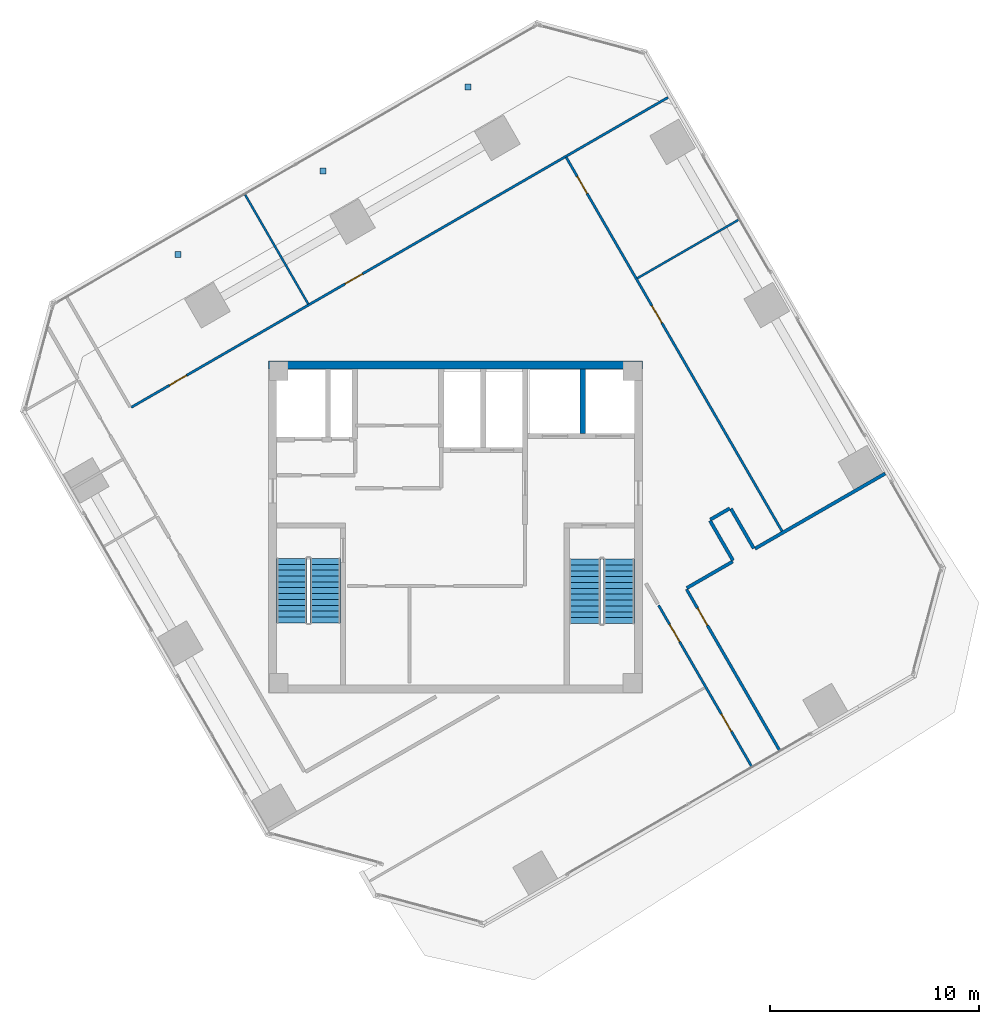
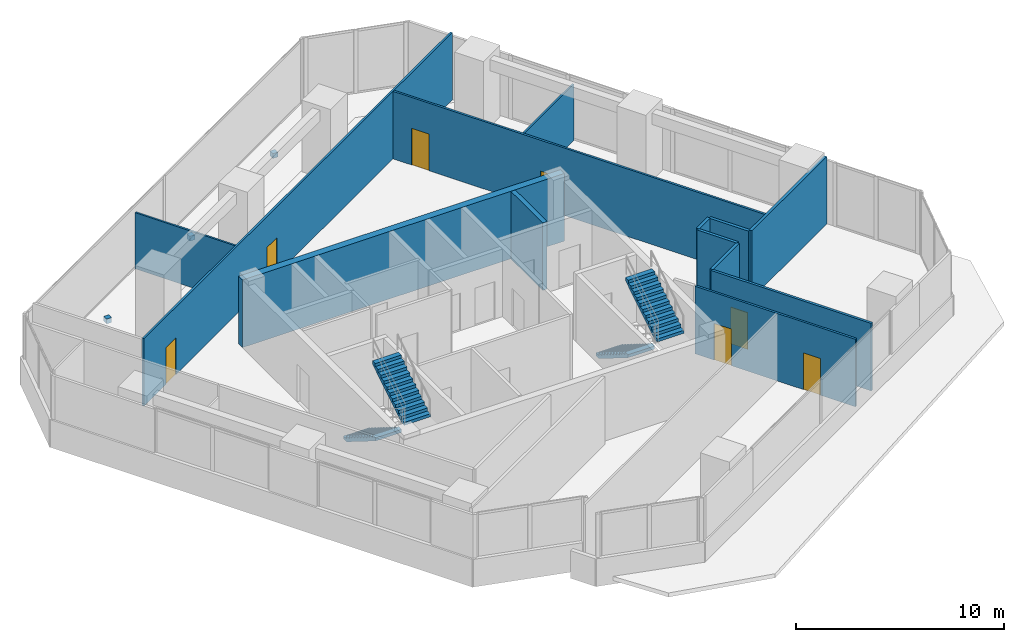
# One storey, part 13 of 16: 13 walls, 7 doors, 4 stair flights, 3 discrete accessories, 7 openings, 2 elements without a shape of their own.
"""IFC4 building model written with IfcOpenShell, lengths in metres."""

from ifc_helpers import new_model, si_unit, direction, frame, frame_2d, origin, origin_2d, place, context, subcontext, project, spatial, polyline, rectangle, outline, extrude, source, transform, mapped, material, layer, layer_set, type_object, element, fill, aggregate, save


model = new_model("IFC4")

# Units and contexts
model_context = context("Model", 3, precision=1e-05, world=origin(), true_north=direction((0.0, 1.0)))
body_context = subcontext(model_context, "Body", "Model", "MODEL_VIEW")
ifc_project = project(units=[si_unit("LENGTHUNIT", "METRE"), si_unit("AREAUNIT", "SQUARE_METRE"), si_unit("VOLUMEUNIT", "CUBIC_METRE"), si_unit("PLANEANGLEUNIT", "RADIAN"), si_unit("MASSUNIT", "GRAM", prefix="KILO")], contexts=[model_context])

# Site, building, storey
site_placement = place(None, origin())
site = spatial("IfcSite", under=ifc_project, at=site_placement, CompositionType="ELEMENT")
building_placement = place(site_placement, origin())
building = spatial("IfcBuilding", under=site, at=building_placement, Name="Torre Montelarca", CompositionType="ELEMENT")
storey_placement = place(building_placement, frame((0.0, 0.0, 319.800048828125)))
storey = spatial("IfcBuildingStorey", under=building, at=storey_placement, Name="L72", CompositionType="ELEMENT", Elevation=319.800048828125)

# Walls
ifc_material_1 = material(Name="Concrete C40/50", Category="concrete")
ifc_layer_1 = layer(ifc_material_1, 0.25, Name="Concrete C40/50", Category="concrete")
ifc_layer_set_1 = layer_set([ifc_layer_1], Name="Concrete C40/50")
wall_type_1 = type_object("IfcWallType", Name="CW-SHAFT-250", PredefinedType="SHEAR", material=ifc_layer_set_1)
wall_1_placement = place(storey_placement, frame((24.080078125, 36.47998046875, 0.0), z_axis=(0.0, 0.0, 1.0), x_axis=(0.0, 1.0, 0.0)))
element("IfcWall", 1, at=wall_1_placement, inside=storey, type_object=wall_type_1, Name="L72 Core Shear Wall SH-FF-M", PredefinedType="SHEAR", context=body_context, shape_type="SweptSolid", body=[
    extrude(rectangle(XDim=3.06005859375, YDim=0.25, at=frame_2d((1.530029296875, 0.0))), origin(), (0.0, 0.0, 1.0), 3.9599609375),
])
ifc_layer_2 = layer(ifc_material_1, 0.3798828125, Name="Concrete C40/50", Category="concrete")
ifc_layer_set_2 = layer_set([ifc_layer_2], Name="Concrete C40/50")
wall_type_2 = type_object("IfcWallType", Name="CW-SHEAR-380", PredefinedType="SHEAR", material=ifc_layer_set_2)
wall_2_placement = place(storey_placement, frame((9.070068359375, 39.739990234375, 0.0), z_axis=(0.0, 0.0, 1.0), x_axis=(1.0, 0.0, 0.0)))
element("IfcWall", 2, at=wall_2_placement, inside=storey, type_object=wall_type_2, Name="L72 Core Shear Wall CW-N1", PredefinedType="SHEAR", context=body_context, shape_type="SweptSolid", body=[
    extrude(rectangle(XDim=17.85986328125, YDim=0.3798828125, at=frame_2d((8.929931640625, 0.0))), origin(), (0.0, 0.0, 1.0), 3.9599609375),
])
ifc_material_2 = material(Name="Gypsum plasterboard on steel stud", Category="steel")
ifc_layer_3 = layer(ifc_material_2, 0.159912109375, Name="Gypsum plasterboard on steel stud", Category="steel")
ifc_layer_set_3 = layer_set([ifc_layer_3], Name="Gypsum plasterboard on steel stud")
wall_type_3 = type_object("IfcWallType", Name="PW-FIRE-160", PredefinedType="PARTITIONING", material=ifc_layer_set_3)
wall_3_placement = place(storey_placement, frame((29.04931640625, 29.083984375, 0.0), z_axis=(0.0, 0.0, 1.0), x_axis=(0.866013648801, 0.500020359676, 0.0)))
element("IfcWall", 3, at=wall_3_placement, inside=storey, type_object=wall_type_3, Name="L72 Interior Partition W-L72-ECN", PredefinedType="PARTITIONING", context=body_context, shape_type="SweptSolid", body=[
    extrude(rectangle(XDim=2.5302734375, YDim=0.159912109375, at=frame_2d((1.26513671875, 0.0))), origin(), (0.0, 0.0, 1.0), 3.9599609375),
])
wall_4_placement = place(storey_placement, frame((30.16015625, 32.30029296875, 0.0), z_axis=(0.0, 0.0, 1.0), x_axis=(0.499963694393, -0.866046363822, 0.0)))
element("IfcWall", 4, at=wall_4_placement, inside=storey, type_object=wall_type_3, Name="L72 Interior Partition W-L72-ECNS1", PredefinedType="PARTITIONING", context=body_context, shape_type="SweptSolid", body=[
    extrude(rectangle(XDim=2.190185546875, YDim=0.159912109375, at=frame_2d((1.09521484375, 0.0))), origin(), (0.0, 0.0, 1.0), 3.9599609375),
])
wall_5_placement = place(storey_placement, frame((30.1748046875, 32.35498046875, 0.0), z_axis=(0.0, 0.0, 1.0), x_axis=(0.866029778435, 0.499992422807, 0.0)))
element("IfcWall", 5, at=wall_5_placement, inside=storey, type_object=wall_type_3, Name="L72 Interior Partition W-L72-ECNW1", PredefinedType="PARTITIONING", context=body_context, shape_type="SweptSolid", body=[
    extrude(rectangle(XDim=1.06982421875, YDim=0.159912109375, at=frame_2d((0.534912109375, 0.0))), origin(), (0.0, 0.0, 1.0), 3.9599609375),
])
wall_6_placement = place(storey_placement, frame((31.156005859375, 32.875244140625, 0.0), z_axis=(0.0, 0.0, 1.0), x_axis=(0.499963694393, -0.866046363822, 0.0)))
element("IfcWall", 6, at=wall_6_placement, inside=storey, type_object=wall_type_3, Name="L72 Interior Partition W-L72-ECNN1", PredefinedType="PARTITIONING", context=body_context, shape_type="SweptSolid", body=[
    extrude(rectangle(XDim=2.190185546875, YDim=0.159912109375, at=frame_2d((1.09521484375, 0.0))), origin(), (0.0, 0.0, 1.0), 3.9599609375),
])
wall_7_placement = place(storey_placement, frame((32.3056640625, 30.964111328125, 0.0), z_axis=(0.0, 0.0, 1.0), x_axis=(0.866033266336, 0.499986381413, 0.0)))
element("IfcWall", 7, at=wall_7_placement, inside=storey, type_object=wall_type_3, Name="L72 Interior Partition W-L72-ECN2", PredefinedType="PARTITIONING", context=body_context, shape_type="SweptSolid", body=[
    extrude(rectangle(XDim=7.179931640625, YDim=0.159912109375, at=frame_2d((3.58984375, 0.0))), origin(), (0.0, 0.0, 1.0), 3.9599609375),
])
ifc_material_3 = material(Name="Acoustic laminated glass partition", Category="glass")
ifc_layer_4 = layer(ifc_material_3, 0.10009765625, Name="Acoustic laminated glass partition", Category="glass")
ifc_layer_set_4 = layer_set([ifc_layer_4], Name="Acoustic laminated glass partition")
wall_type_4 = type_object("IfcWallType", Name="PW-GLAZ-100", PredefinedType="PARTITIONING", material=ifc_layer_set_4)
wall_8_placement = place(storey_placement, frame((26.673828125, 43.87841796875, 0.0), z_axis=(0.0, 0.0, 1.0), x_axis=(0.866026594901, 0.49999793692, 0.0)))
element("IfcWall", 8, at=wall_8_placement, inside=storey, type_object=wall_type_4, Name="L72 Interior Partition W-L72-NDIV-1", PredefinedType="PARTITIONING", context=body_context, shape_type="SweptSolid", body=[
    extrude(rectangle(XDim=5.60009765625, YDim=0.10009765625, at=frame_2d((2.800048828125, 0.0))), origin(), (0.0, 0.0, 1.0), 3.294921875),
])
wall_9_placement = place(storey_placement, frame((7.94921875, 47.870849609375, 0.0), z_axis=(0.0, 0.0, 1.0), x_axis=(0.4999841411, -0.866034559731, 0.0)))
element("IfcWall", 9, at=wall_9_placement, inside=storey, type_object=wall_type_4, Name="L72 Interior Partition W-L72-WWGD-1", PredefinedType="PARTITIONING", context=body_context, shape_type="SweptSolid", body=[
    extrude(rectangle(XDim=6.030029296875, YDim=0.10009765625, at=frame_2d((3.01513671875, 0.0))), origin(), (0.0, 0.0, 1.0), 3.294921875),
])

# Wall, openings, doors
ifc_layer_5 = layer(ifc_material_2, 0.114990234375, Name="Gypsum plasterboard on steel stud", Category="steel")
ifc_layer_set_5 = layer_set([ifc_layer_5], Name="Gypsum plasterboard on steel stud")
wall_type_5 = type_object("IfcWallType", Name="PW-PART-115", PredefinedType="PARTITIONING", material=ifc_layer_set_5)
wall_10_placement = place(storey_placement, frame((23.2841796875, 49.66943359375, 0.0), z_axis=(0.0, 0.0, 1.0), x_axis=(0.500004637929, -0.866022726058, 0.0)))
wall_10 = element("IfcWall", 10, at=wall_10_placement, inside=storey, type_object=wall_type_5, Name="L72 Interior Partition W-L72-NBOT", PredefinedType="PARTITIONING", context=body_context, shape_type="SweptSolid", body=[
    extrude(rectangle(XDim=20.670166015625, YDim=0.114990234375, at=frame_2d((10.3349609375, 0.0))), origin(), (0.0, 0.0, 1.0), 3.9599609375),
])
opening_1_placement = place(wall_10_placement, frame((1.050048828125, 0.0, 0.0)))
opening_1 = element("IfcOpeningElement", 11, at=opening_1_placement, cuts=wall_10, Name="Opening ID-095", PredefinedType="OPENING", context=body_context, shape_type="SweptSolid", body=[
    extrude(rectangle(XDim=0.949951171875, YDim=2.14990234375, at=frame_2d((0.47509765625, 1.074951171875))), frame((0.0, 0.0673828125, 0.0), z_axis=(0.0, -1.0, 0.0), x_axis=(1.0, 0.0, 0.0)), (0.0, 0.0, 1.0), 0.135009765625),
])
opening_2_placement = place(wall_10_placement, frame((8.199951171875, 0.0, 0.0)))
opening_2 = element("IfcOpeningElement", 12, at=opening_2_placement, cuts=wall_10, Name="Opening ID-095", PredefinedType="OPENING", context=body_context, shape_type="SweptSolid", body=[
    extrude(rectangle(XDim=0.949951171875, YDim=2.14990234375, at=frame_2d((0.47509765625, 1.074951171875))), frame((0.0, 0.0673828125, 0.0), z_axis=(0.0, -1.0, 0.0), x_axis=(1.0, 0.0, 0.0)), (0.0, 0.0, 1.0), 0.135009765625),
])
ifc_material_4 = material(Name="Hardwood acoustic timber veneer", Category="wood")
door_type = type_object("IfcDoorType", Name="DR-INT-095", OperationType="NOTDEFINED", PredefinedType="DOOR", material=ifc_material_4)
shared_shape_1 = source(origin(), body_context, "Body", "SweptSolid", [
    extrude(rectangle(XDim=0.949951171875, YDim=2.14990234375, at=frame_2d((0.47509765625, 1.074951171875))), frame((0.0, 0.02490234375, 0.0), z_axis=(0.0, -1.0, 0.0), x_axis=(1.0, 0.0, 0.0)), (0.0, 0.0, 1.0), 0.050048828125),
])
door_1_placement = place(opening_1_placement, origin())
door_1 = element("IfcDoor", 13, at=door_1_placement, inside=storey, type_object=door_type, Name="L72 Interior Door 09", OperationType="SINGLE_SWING_LEFT", OverallHeight=2.14990234375, OverallWidth=0.949951171875, PredefinedType="DOOR", context=body_context, shape_type="MappedRepresentation", body=[
    mapped(shared_shape_1, transform((0.0, 0.0, 0.0), scale=1.0)),
])
fill(opening_1, door_1)
door_2_placement = place(opening_2_placement, origin())
door_2 = element("IfcDoor", 14, at=door_2_placement, inside=storey, type_object=door_type, Name="L72 Interior Door 10", OperationType="SINGLE_SWING_RIGHT", OverallHeight=2.14990234375, OverallWidth=0.949951171875, PredefinedType="DOOR", context=body_context, shape_type="MappedRepresentation", body=[
    mapped(shared_shape_1, transform((0.0, 0.0, 0.0), scale=1.0)),
])
fill(opening_2, door_2)

wall_11_placement = place(storey_placement, frame((2.505615234375, 37.718994140625, 0.0), z_axis=(0.0, 0.0, 1.0), x_axis=(0.866023290802, 0.500003659775, 0.0)))
wall_11 = element("IfcWall", 15, at=wall_11_placement, inside=storey, type_object=wall_type_5, Name="L72 Interior Partition W-L72-WWGE", PredefinedType="PARTITIONING", context=body_context, shape_type="SweptSolid", body=[
    extrude(rectangle(XDim=29.610107421875, YDim=0.114990234375, at=frame_2d((14.80517578125, 0.0))), origin(), (0.0, 0.0, 1.0), 3.9599609375),
])
opening_3_placement = place(wall_11_placement, frame((2.10009765625, 0.0, 0.0)))
opening_3 = element("IfcOpeningElement", 16, at=opening_3_placement, cuts=wall_11, Name="Opening ID-095", PredefinedType="OPENING", context=body_context, shape_type="SweptSolid", body=[
    extrude(rectangle(XDim=0.949951171875, YDim=2.14990234375, at=frame_2d((0.47509765625, 1.074951171875))), frame((0.0, 0.0673828125, 0.0), z_axis=(0.0, -1.0, 0.0), x_axis=(1.0, 0.0, 0.0)), (0.0, 0.0, 1.0), 0.135009765625),
])
opening_4_placement = place(wall_11_placement, frame((11.800048828125, 0.0, 0.0)))
opening_4 = element("IfcOpeningElement", 17, at=opening_4_placement, cuts=wall_11, Name="Opening ID-095", PredefinedType="OPENING", context=body_context, shape_type="SweptSolid", body=[
    extrude(rectangle(XDim=0.949951171875, YDim=2.14990234375, at=frame_2d((0.47509765625, 1.074951171875))), frame((0.0, 0.0673828125, 0.0), z_axis=(0.0, -1.0, 0.0), x_axis=(1.0, 0.0, 0.0)), (0.0, 0.0, 1.0), 0.135009765625),
])
door_3_placement = place(opening_3_placement, origin())
door_3 = element("IfcDoor", 18, at=door_3_placement, inside=storey, type_object=door_type, Name="L72 Interior Door 11", OperationType="SINGLE_SWING_LEFT", OverallHeight=2.14990234375, OverallWidth=0.949951171875, PredefinedType="DOOR", context=body_context, shape_type="MappedRepresentation", body=[
    mapped(shared_shape_1, transform((0.0, 0.0, 0.0), scale=1.0)),
])
fill(opening_3, door_3)
door_4_placement = place(opening_4_placement, origin())
door_4 = element("IfcDoor", 19, at=door_4_placement, inside=storey, type_object=door_type, Name="L72 Interior Door 12", OperationType="SINGLE_SWING_RIGHT", OverallHeight=2.14990234375, OverallWidth=0.949951171875, PredefinedType="DOOR", context=body_context, shape_type="MappedRepresentation", body=[
    mapped(shared_shape_1, transform((0.0, 0.0, 0.0), scale=1.0)),
])
fill(opening_4, door_4)

wall_12_placement = place(storey_placement, frame((27.701171875, 28.259521484375, 0.0), z_axis=(0.0, 0.0, 1.0), x_axis=(0.499988999718, -0.866031754707, 0.0)))
wall_12 = element("IfcWall", 20, at=wall_12_placement, inside=storey, type_object=wall_type_5, Name="L72 Interior Partition W-L72-SE-N", PredefinedType="PARTITIONING", context=body_context, shape_type="SweptSolid", body=[
    extrude(rectangle(XDim=8.880126953125, YDim=0.114990234375, at=frame_2d((4.43994140625, 0.0))), origin(), (0.0, 0.0, 1.0), 3.9599609375),
])
opening_5_placement = place(wall_12_placement, frame((1.050048828125, 0.0, 0.0)))
opening_5 = element("IfcOpeningElement", 21, at=opening_5_placement, cuts=wall_12, Name="Opening ID-095", PredefinedType="OPENING", context=body_context, shape_type="SweptSolid", body=[
    extrude(rectangle(XDim=0.949951171875, YDim=2.14990234375, at=frame_2d((0.47509765625, 1.074951171875))), frame((0.0, 0.0673828125, 0.0), z_axis=(0.0, -1.0, 0.0), x_axis=(1.0, 0.0, 0.0)), (0.0, 0.0, 1.0), 0.135009765625),
])
opening_6_placement = place(wall_12_placement, frame((6.0, 0.0, 0.0)))
opening_6 = element("IfcOpeningElement", 22, at=opening_6_placement, cuts=wall_12, Name="Opening ID-095", PredefinedType="OPENING", context=body_context, shape_type="SweptSolid", body=[
    extrude(rectangle(XDim=0.949951171875, YDim=2.14990234375, at=frame_2d((0.47509765625, 1.074951171875))), frame((0.0, 0.0673828125, 0.0), z_axis=(0.0, -1.0, 0.0), x_axis=(1.0, 0.0, 0.0)), (0.0, 0.0, 1.0), 0.135009765625),
])
door_5_placement = place(opening_5_placement, origin())
door_5 = element("IfcDoor", 23, at=door_5_placement, inside=storey, type_object=door_type, Name="L72 Interior Door 14", OperationType="SINGLE_SWING_LEFT", OverallHeight=2.14990234375, OverallWidth=0.949951171875, PredefinedType="DOOR", context=body_context, shape_type="MappedRepresentation", body=[
    mapped(shared_shape_1, transform((0.0, 0.0, 0.0), scale=1.0)),
])
fill(opening_5, door_5)
door_6_placement = place(opening_6_placement, origin())
door_6 = element("IfcDoor", 24, at=door_6_placement, inside=storey, type_object=door_type, Name="L72 Interior Door 15", OperationType="SINGLE_SWING_RIGHT", OverallHeight=2.14990234375, OverallWidth=0.949951171875, PredefinedType="DOOR", context=body_context, shape_type="MappedRepresentation", body=[
    mapped(shared_shape_1, transform((0.0, 0.0, 0.0), scale=1.0)),
])
fill(opening_6, door_6)

# Wall, opening, door
ifc_layer_6 = layer(ifc_material_2, 0.135009765625, Name="Gypsum plasterboard on steel stud", Category="steel")
ifc_layer_set_6 = layer_set([ifc_layer_6], Name="Gypsum plasterboard on steel stud")
wall_type_6 = type_object("IfcWallType", Name="PW-PART-135", PredefinedType="PARTITIONING", material=ifc_layer_set_6)
wall_13_placement = place(storey_placement, frame((29.034912109375, 29.029296875, 0.0), z_axis=(0.0, 0.0, 1.0), x_axis=(0.500000904628, -0.866024881496, 0.0)))
wall_13 = element("IfcWall", 25, at=wall_13_placement, inside=storey, type_object=wall_type_6, Name="L72 Interior Partition W-L72-NE-S", PredefinedType="PARTITIONING", context=body_context, shape_type="SweptSolid", body=[
    extrude(rectangle(XDim=8.8798828125, YDim=0.135009765625, at=frame_2d((4.43994140625, 0.0))), origin(), (0.0, 0.0, 1.0), 3.9599609375),
])
opening_7_placement = place(wall_13_placement, frame((1.050048828125, 0.0, 0.0)))
opening_7 = element("IfcOpeningElement", 26, at=opening_7_placement, cuts=wall_13, Name="Opening ID-095", PredefinedType="OPENING", context=body_context, shape_type="SweptSolid", body=[
    extrude(rectangle(XDim=0.949951171875, YDim=2.14990234375, at=frame_2d((0.47509765625, 1.074951171875))), frame((0.0, 0.07763671875, 0.0), z_axis=(0.0, -1.0, 0.0), x_axis=(1.0, 0.0, 0.0)), (0.0, 0.0, 1.0), 0.155029296875),
])
door_7_placement = place(opening_7_placement, origin())
door_7 = element("IfcDoor", 27, at=door_7_placement, inside=storey, type_object=door_type, Name="L72 Interior Door 13", OperationType="SINGLE_SWING_LEFT", OverallHeight=2.14990234375, OverallWidth=0.949951171875, PredefinedType="DOOR", context=body_context, shape_type="MappedRepresentation", body=[
    mapped(shared_shape_1, transform((0.0, 0.0, 0.0), scale=1.0)),
])
fill(opening_7, door_7)

# Stair, stair flights
stair_type_1 = type_object("IfcStairType", Name="ST-CORE-ST1", PredefinedType="HALF_TURN_STAIR", material=ifc_material_1)
stair_1_placement = place(storey_placement, origin())
stair_1 = element("IfcStair", 28, at=stair_1_placement, inside=storey, type_object=stair_type_1, Name="L72 Protected Exit Stair ST1", PredefinedType="HALF_TURN_STAIR")
stair_flight_type_1 = type_object("IfcStairFlightType", Name="SFL-CORE-ST1", PredefinedType="STRAIGHT", material=ifc_material_1)
stair_flight_1_placement = place(storey_placement, frame((10.175048828125, 30.5, 0.0), z_axis=(0.0, 0.0, 1.0), x_axis=(0.0, -1.0, 0.0)))
stair_flight_1 = element("IfcStairFlight", 29, at=stair_flight_1_placement, type_object=stair_flight_type_1, Name="ST1 flight 1", NumberOfRisers=12, NumberOfTreads=11, PredefinedType="STRAIGHT", RiserHeight=0.175, TreadLength=0.28, context=body_context, shape_type="SweptSolid", body=[
    extrude(outline(polyline([(0.0, 0.0), (0.0, 0.175048828125), (0.280029296875, 0.175048828125), (0.280029296875, 0.35009765625), (0.56005859375, 0.35009765625), (0.56005859375, 0.52490234375), (0.840087890625, 0.52490234375), (0.840087890625, 0.699951171875), (1.1201171875, 0.699951171875), (1.1201171875, 0.875), (1.39990234375, 0.875), (1.39990234375, 1.050048828125), (1.679931640625, 1.050048828125), (1.679931640625, 1.22509765625), (1.9599609375, 1.22509765625), (1.9599609375, 1.39990234375), (2.239990234375, 1.39990234375), (2.239990234375, 1.574951171875), (2.52001953125, 1.574951171875), (2.52001953125, 1.75), (2.800048828125, 1.75), (2.800048828125, 1.925048828125), (3.080078125, 1.925048828125), (3.080078125, 2.10009765625), (3.080078125, 1.748291015625), (0.28271484375, 0.0), (0.0, 0.0)])), frame((0.0, 0.72509765625, 0.0), z_axis=(0.0, -1.0, 0.0), x_axis=(1.0, 0.0, 0.0)), (0.0, 0.0, 1.0), 1.449951171875),
])
stair_flight_2_placement = place(storey_placement, frame((11.77490234375, 27.419921875, 2.099853515625), z_axis=(0.0, 0.0, 1.0), x_axis=(0.0, 1.0, 0.0)))
stair_flight_2 = element("IfcStairFlight", 30, at=stair_flight_2_placement, type_object=stair_flight_type_1, Name="ST1 flight 2", NumberOfRisers=12, NumberOfTreads=11, PredefinedType="STRAIGHT", RiserHeight=0.175, TreadLength=0.28, context=body_context, shape_type="SweptSolid", body=[
    extrude(outline(polyline([(0.0, 0.0), (0.0, 0.175048828125), (0.280029296875, 0.175048828125), (0.280029296875, 0.35009765625), (0.56005859375, 0.35009765625), (0.56005859375, 0.52490234375), (0.840087890625, 0.52490234375), (0.840087890625, 0.699951171875), (1.1201171875, 0.699951171875), (1.1201171875, 0.875), (1.39990234375, 0.875), (1.39990234375, 1.050048828125), (1.679931640625, 1.050048828125), (1.679931640625, 1.22509765625), (1.9599609375, 1.22509765625), (1.9599609375, 1.39990234375), (2.239990234375, 1.39990234375), (2.239990234375, 1.574951171875), (2.52001953125, 1.574951171875), (2.52001953125, 1.75), (2.800048828125, 1.75), (2.800048828125, 1.925048828125), (3.080078125, 1.925048828125), (3.080078125, 2.10009765625), (3.080078125, 1.748291015625), (0.28271484375, 0.0), (0.0, 0.0)])), frame((0.0, 0.72509765625, 0.0), z_axis=(0.0, -1.0, 0.0), x_axis=(1.0, 0.0, 0.0)), (0.0, 0.0, 1.0), 1.449951171875),
])
aggregate(stair_1, [stair_flight_1, stair_flight_2])

stair_type_2 = type_object("IfcStairType", Name="ST-CORE-ST2", PredefinedType="HALF_TURN_STAIR", material=ifc_material_1)
stair_2_placement = place(storey_placement, origin())
stair_2 = element("IfcStair", 31, at=stair_2_placement, inside=storey, type_object=stair_type_2, Name="L72 Protected Exit Stair ST2", PredefinedType="HALF_TURN_STAIR")
stair_flight_type_2 = type_object("IfcStairFlightType", Name="SFL-CORE-ST2", PredefinedType="STRAIGHT", material=ifc_material_1)
stair_flight_3_placement = place(storey_placement, frame((24.179931640625, 30.469970703125, 0.0), z_axis=(0.0, 0.0, 1.0), x_axis=(0.0, -1.0, 0.0)))
stair_flight_3 = element("IfcStairFlight", 32, at=stair_flight_3_placement, type_object=stair_flight_type_2, Name="ST2 flight 1", NumberOfRisers=12, NumberOfTreads=11, PredefinedType="STRAIGHT", RiserHeight=0.175, TreadLength=0.28, context=body_context, shape_type="SweptSolid", body=[
    extrude(outline(polyline([(0.0, 0.0), (0.0, 0.175048828125), (0.280029296875, 0.175048828125), (0.280029296875, 0.35009765625), (0.56005859375, 0.35009765625), (0.56005859375, 0.52490234375), (0.840087890625, 0.52490234375), (0.840087890625, 0.699951171875), (1.1201171875, 0.699951171875), (1.1201171875, 0.875), (1.39990234375, 0.875), (1.39990234375, 1.050048828125), (1.679931640625, 1.050048828125), (1.679931640625, 1.22509765625), (1.9599609375, 1.22509765625), (1.9599609375, 1.39990234375), (2.239990234375, 1.39990234375), (2.239990234375, 1.574951171875), (2.52001953125, 1.574951171875), (2.52001953125, 1.75), (2.800048828125, 1.75), (2.800048828125, 1.925048828125), (3.080078125, 1.925048828125), (3.080078125, 2.10009765625), (3.080078125, 1.748291015625), (0.28271484375, 0.0), (0.0, 0.0)])), frame((0.0, 0.739990234375, 0.0), z_axis=(0.0, -1.0, 0.0), x_axis=(1.0, 0.0, 0.0)), (0.0, 0.0, 1.0), 1.47998046875),
])
stair_flight_4_placement = place(storey_placement, frame((25.81005859375, 27.389892578125, 2.099853515625), z_axis=(0.0, 0.0, 1.0), x_axis=(0.0, 1.0, 0.0)))
stair_flight_4 = element("IfcStairFlight", 33, at=stair_flight_4_placement, type_object=stair_flight_type_2, Name="ST2 flight 2", NumberOfRisers=12, NumberOfTreads=11, PredefinedType="STRAIGHT", RiserHeight=0.175, TreadLength=0.28, context=body_context, shape_type="SweptSolid", body=[
    extrude(outline(polyline([(0.0, 0.0), (0.0, 0.175048828125), (0.280029296875, 0.175048828125), (0.280029296875, 0.35009765625), (0.56005859375, 0.35009765625), (0.56005859375, 0.52490234375), (0.840087890625, 0.52490234375), (0.840087890625, 0.699951171875), (1.1201171875, 0.699951171875), (1.1201171875, 0.875), (1.39990234375, 0.875), (1.39990234375, 1.050048828125), (1.679931640625, 1.050048828125), (1.679931640625, 1.22509765625), (1.9599609375, 1.22509765625), (1.9599609375, 1.39990234375), (2.239990234375, 1.39990234375), (2.239990234375, 1.574951171875), (2.52001953125, 1.574951171875), (2.52001953125, 1.75), (2.800048828125, 1.75), (2.800048828125, 1.925048828125), (3.080078125, 1.925048828125), (3.080078125, 2.10009765625), (3.080078125, 1.748291015625), (0.28271484375, 0.0), (0.0, 0.0)])), frame((0.0, 0.739990234375, 0.0), z_axis=(0.0, -1.0, 0.0), x_axis=(1.0, 0.0, 0.0)), (0.0, 0.0, 1.0), 1.47998046875),
])
aggregate(stair_2, [stair_flight_3, stair_flight_4])

# Discrete accessories
ifc_material_5 = material(Name="Stainless steel AISI 316", Category="steel")
discrete_accessory_type = type_object("IfcDiscreteAccessoryType", Name="ACC-BRACKET-SS", PredefinedType="BRACKET", material=ifc_material_5)
shared_shape_2 = source(origin(), body_context, "Body", "SweptSolid", [
    extrude(rectangle(XDim=0.280029296875, YDim=0.280029296875, at=origin_2d()), origin(), (0.0, 0.0, 1.0), 0.280029296875),
])
for number, where, z_axis, x_axis, name in (
    (34, (4.746826171875, 45.017333984375, -0.2802734375), (0.0, 0.0, 1.0), (1.0, 0.0, 0.0), "L72 Raker End Connection Bracket W1-HD"),
    (35, (11.675048828125, 49.017333984375, -0.2802734375), (0.0, 0.0, 1.0), (1.0, 0.0, 0.0), "L72 Raker End Connection Bracket W2-HD"),
    (36, (18.603271484375, 53.017333984375, -0.2802734375), (0.0, 0.0, 1.0), (1.0, 0.0, 0.0), "L72 Raker End Connection Bracket W3-HD"),
):
    element("IfcDiscreteAccessory", number, at=place(storey_placement, frame(where, z_axis=z_axis, x_axis=x_axis)), inside=storey, type_object=discrete_accessory_type, Name=name, PredefinedType="BRACKET", context=body_context, shape_type="MappedRepresentation", body=[
        mapped(shared_shape_2, transform((0.0, 0.0, 0.0), scale=1.0)),
    ])

save(model, "model.ifc")
